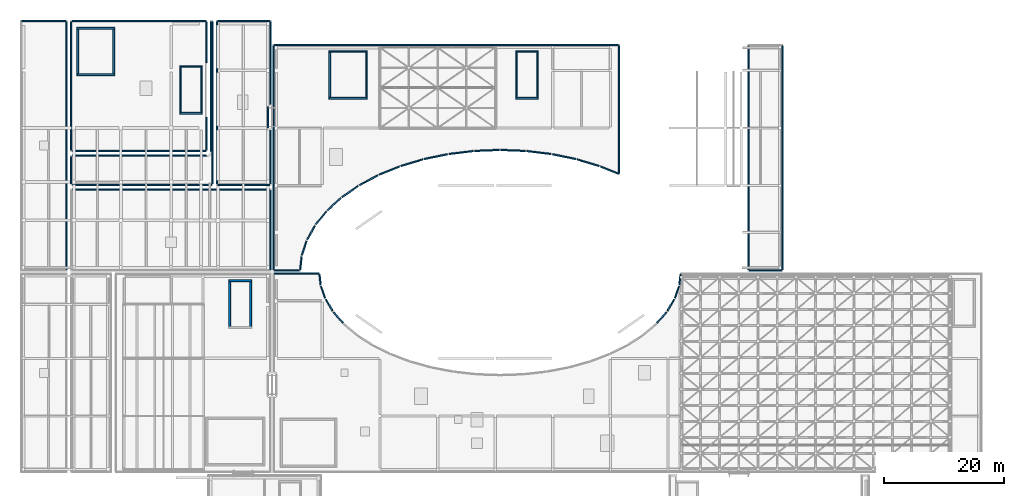
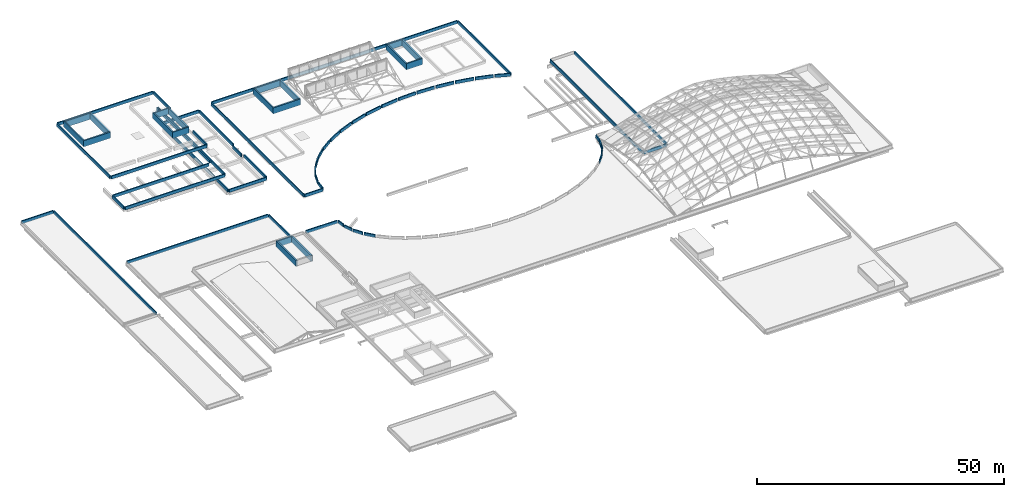
# One storey, part 38 of 40: 72 walls.
"""IFC4 building model written with IfcOpenShell, lengths in metres."""

from ifc_helpers import new_model, si_unit, direction, frame, frame_2d, origin, place, context, subcontext, project, spatial, rectangle, extrude, material, layer, layer_set, type_object, element, save


model = new_model("IFC4")

# Units and contexts
model_context = context("Model", 3, precision=1e-05, world=origin(), true_north=direction((0.0, 1.0)))
body_context = subcontext(model_context, "Body", "Model", "MODEL_VIEW")
ifc_project = project(units=[si_unit("LENGTHUNIT", "METRE"), si_unit("AREAUNIT", "SQUARE_METRE"), si_unit("VOLUMEUNIT", "CUBIC_METRE"), si_unit("PLANEANGLEUNIT", "RADIAN"), si_unit("MASSUNIT", "GRAM", prefix="KILO")], contexts=[model_context])

# Site, building, storey
site_placement = place(None, origin())
site = spatial("IfcSite", under=ifc_project, at=site_placement, CompositionType="ELEMENT")
building_placement = place(site_placement, origin())
building = spatial("IfcBuilding", under=site, at=building_placement, Name="Mzevani Central Library", CompositionType="ELEMENT")
storey_placement = place(building_placement, frame((0.0, 0.0, 26.699951171875)))
storey = spatial("IfcBuildingStorey", under=building, at=storey_placement, Name="RF", CompositionType="ELEMENT", Elevation=26.699951171875)

# Walls
ifc_material = material(Name="Precast concrete C40/50", Category="concrete")
ifc_layer_1 = layer(ifc_material, 0.320068359375, Name="Lift Overrun Shear Wall 320")
ifc_layer_set_1 = layer_set([ifc_layer_1], Name="Precast concrete C40/50")
wall_type_1 = type_object("IfcWallType", Name="Lift Overrun Shear Wall 320", PredefinedType="SHEAR", material=ifc_layer_set_1)
wall_1_placement = place(storey_placement, frame((19.800048828125, 108.85009765625, 0.0), z_axis=(0.0, 0.0, 1.0), x_axis=(-1.0, 0.0, 0.0)))
element("IfcWall", 1, at=wall_1_placement, inside=storey, type_object=wall_type_1, Name="RF Core C2A North-West Firefighting Core Overrun Headhouse Wall 1", PredefinedType="SHEAR", context=body_context, shape_type="SweptSolid", body=[
    extrude(rectangle(XDim=6.300048828125, YDim=0.320068359375, at=frame_2d((3.14990234375, 0.0))), origin(), (0.0, 0.0, 1.0), 1.5),
])
wall_2_placement = place(storey_placement, frame((13.64990234375, 108.699951171875, 0.0), z_axis=(0.0, 0.0, 1.0), x_axis=(0.0, 1.0, 0.0)))
element("IfcWall", 2, at=wall_2_placement, inside=storey, type_object=wall_type_1, Name="RF Core C2A North-West Firefighting Core Overrun Headhouse Wall 2", PredefinedType="SHEAR", context=body_context, shape_type="SweptSolid", body=[
    extrude(rectangle(XDim=8.10009765625, YDim=0.320068359375, at=frame_2d((4.050048828125, 0.0))), origin(), (0.0, 0.0, 1.0), 1.5),
])
wall_3_placement = place(storey_placement, frame((13.5, 116.64990234375, 0.0), z_axis=(0.0, 0.0, 1.0), x_axis=(1.0, 0.0, 0.0)))
element("IfcWall", 3, at=wall_3_placement, inside=storey, type_object=wall_type_1, Name="RF Core C2A North-West Firefighting Core Overrun Headhouse Wall 3", PredefinedType="SHEAR", context=body_context, shape_type="SweptSolid", body=[
    extrude(rectangle(XDim=6.300048828125, YDim=0.320068359375, at=frame_2d((3.14990234375, 0.0))), origin(), (0.0, 0.0, 1.0), 1.5),
])
wall_4_placement = place(storey_placement, frame((19.64990234375, 116.800048828125, 0.0), z_axis=(0.0, 0.0, 1.0), x_axis=(0.0, -1.0, 0.0)))
element("IfcWall", 4, at=wall_4_placement, inside=storey, type_object=wall_type_1, Name="RF Core C2A North-West Firefighting Core Overrun Headhouse Wall 4", PredefinedType="SHEAR", context=body_context, shape_type="SweptSolid", body=[
    extrude(rectangle(XDim=8.10009765625, YDim=0.320068359375, at=frame_2d((4.050048828125, 0.0))), origin(), (0.0, 0.0, 1.0), 1.5),
])
wall_5_placement = place(storey_placement, frame((34.39990234375, 102.449951171875, 0.0), z_axis=(0.0, 0.0, 1.0), x_axis=(-1.0, 0.0, 0.0)))
element("IfcWall", 5, at=wall_5_placement, inside=storey, type_object=wall_type_1, Name="RF Core C2B Stacks East Escape Stair Overrun Headhouse Wall 1", PredefinedType="SHEAR", context=body_context, shape_type="SweptSolid", body=[
    extrude(rectangle(XDim=3.7998046875, YDim=0.320068359375, at=frame_2d((1.89990234375, 0.0))), origin(), (0.0, 0.0, 1.0), 1.5),
])
wall_6_placement = place(storey_placement, frame((30.75, 102.300048828125, 0.0), z_axis=(0.0, 0.0, 1.0), x_axis=(0.0, 1.0, 0.0)))
element("IfcWall", 6, at=wall_6_placement, inside=storey, type_object=wall_type_1, Name="RF Core C2B Stacks East Escape Stair Overrun Headhouse Wall 2", PredefinedType="SHEAR", context=body_context, shape_type="SweptSolid", body=[
    extrude(rectangle(XDim=8.099853515625, YDim=0.320068359375, at=frame_2d((4.0498046875, 0.0))), origin(), (0.0, 0.0, 1.0), 1.5),
])
wall_7_placement = place(storey_placement, frame((30.60009765625, 110.25, 0.0), z_axis=(0.0, 0.0, 1.0), x_axis=(1.0, 0.0, 0.0)))
element("IfcWall", 7, at=wall_7_placement, inside=storey, type_object=wall_type_1, Name="RF Core C2B Stacks East Escape Stair Overrun Headhouse Wall 3", PredefinedType="SHEAR", context=body_context, shape_type="SweptSolid", body=[
    extrude(rectangle(XDim=3.7998046875, YDim=0.320068359375, at=frame_2d((1.89990234375, 0.0))), origin(), (0.0, 0.0, 1.0), 1.5),
])
wall_8_placement = place(storey_placement, frame((34.25, 110.39990234375, 0.0), z_axis=(0.0, 0.0, 1.0), x_axis=(0.0, -1.0, 0.0)))
element("IfcWall", 8, at=wall_8_placement, inside=storey, type_object=wall_type_1, Name="RF Core C2B Stacks East Escape Stair Overrun Headhouse Wall 4", PredefinedType="SHEAR", context=body_context, shape_type="SweptSolid", body=[
    extrude(rectangle(XDim=8.099853515625, YDim=0.320068359375, at=frame_2d((4.0498046875, 0.0))), origin(), (0.0, 0.0, 1.0), 1.5),
])
wall_9_placement = place(storey_placement, frame((61.89990234375, 104.949951171875, -4.199951171875), z_axis=(0.0, 0.0, 1.0), x_axis=(-1.0, 0.0, 0.0)))
element("IfcWall", 9, at=wall_9_placement, inside=storey, type_object=wall_type_1, Name="RF Core C3A North-East Firefighting Core Overrun Headhouse Wall 1", PredefinedType="SHEAR", context=body_context, shape_type="SweptSolid", body=[
    extrude(rectangle(XDim=6.39990234375, YDim=0.320068359375, at=frame_2d((3.199951171875, 0.0))), origin(), (0.0, 0.0, 1.0), 1.5),
])
wall_10_placement = place(storey_placement, frame((55.64990234375, 104.800048828125, -4.199951171875), z_axis=(0.0, 0.0, 1.0), x_axis=(0.0, 1.0, 0.0)))
element("IfcWall", 10, at=wall_10_placement, inside=storey, type_object=wall_type_1, Name="RF Core C3A North-East Firefighting Core Overrun Headhouse Wall 2", PredefinedType="SHEAR", context=body_context, shape_type="SweptSolid", body=[
    extrude(rectangle(XDim=8.099853515625, YDim=0.320068359375, at=frame_2d((4.0498046875, 0.0))), origin(), (0.0, 0.0, 1.0), 1.5),
])
wall_11_placement = place(storey_placement, frame((55.5, 112.75, -4.199951171875), z_axis=(0.0, 0.0, 1.0), x_axis=(1.0, 0.0, 0.0)))
element("IfcWall", 11, at=wall_11_placement, inside=storey, type_object=wall_type_1, Name="RF Core C3A North-East Firefighting Core Overrun Headhouse Wall 3", PredefinedType="SHEAR", context=body_context, shape_type="SweptSolid", body=[
    extrude(rectangle(XDim=6.39990234375, YDim=0.320068359375, at=frame_2d((3.199951171875, 0.0))), origin(), (0.0, 0.0, 1.0), 1.5),
])
wall_12_placement = place(storey_placement, frame((61.75, 112.89990234375, -4.199951171875), z_axis=(0.0, 0.0, 1.0), x_axis=(0.0, -1.0, 0.0)))
element("IfcWall", 12, at=wall_12_placement, inside=storey, type_object=wall_type_1, Name="RF Core C3A North-East Firefighting Core Overrun Headhouse Wall 4", PredefinedType="SHEAR", context=body_context, shape_type="SweptSolid", body=[
    extrude(rectangle(XDim=8.099853515625, YDim=0.320068359375, at=frame_2d((4.0498046875, 0.0))), origin(), (0.0, 0.0, 1.0), 1.5),
])
wall_13_placement = place(storey_placement, frame((90.39990234375, 104.949951171875, -4.199951171875), z_axis=(0.0, 0.0, 1.0), x_axis=(-1.0, 0.0, 0.0)))
element("IfcWall", 13, at=wall_13_placement, inside=storey, type_object=wall_type_1, Name="RF Core C3B Atrium East Escape Stair Overrun Headhouse Wall 1", PredefinedType="SHEAR", context=body_context, shape_type="SweptSolid", body=[
    extrude(rectangle(XDim=3.7998046875, YDim=0.320068359375, at=frame_2d((1.89990234375, 0.0))), origin(), (0.0, 0.0, 1.0), 1.5),
])
wall_14_placement = place(storey_placement, frame((86.75, 104.800048828125, -4.199951171875), z_axis=(0.0, 0.0, 1.0), x_axis=(0.0, 1.0, 0.0)))
element("IfcWall", 14, at=wall_14_placement, inside=storey, type_object=wall_type_1, Name="RF Core C3B Atrium East Escape Stair Overrun Headhouse Wall 2", PredefinedType="SHEAR", context=body_context, shape_type="SweptSolid", body=[
    extrude(rectangle(XDim=8.099853515625, YDim=0.320068359375, at=frame_2d((4.0498046875, 0.0))), origin(), (0.0, 0.0, 1.0), 1.5),
])
wall_15_placement = place(storey_placement, frame((86.60009765625, 112.75, -4.199951171875), z_axis=(0.0, 0.0, 1.0), x_axis=(1.0, 0.0, 0.0)))
element("IfcWall", 15, at=wall_15_placement, inside=storey, type_object=wall_type_1, Name="RF Core C3B Atrium East Escape Stair Overrun Headhouse Wall 3", PredefinedType="SHEAR", context=body_context, shape_type="SweptSolid", body=[
    extrude(rectangle(XDim=3.7998046875, YDim=0.320068359375, at=frame_2d((1.89990234375, 0.0))), origin(), (0.0, 0.0, 1.0), 1.5),
])
for number, where, z_axis, x_axis, name in (
    (16, (90.25, 112.89990234375, -4.199951171875), (0.0, 0.0, 1.0), (0.0, -1.0, 0.0), "RF Core C3B Atrium East Escape Stair Overrun Headhouse Wall 4"),
    (17, (38.949951171875, 66.60009765625, -12.89990234375), (0.0, 0.0, 1.0), (0.0, 1.0, 0.0), "RF Core C5B Lecture North Escape Stair Overrun Headhouse Wall 2"),
):
    element("IfcWall", number, at=place(storey_placement, frame(where, z_axis=z_axis, x_axis=x_axis)), inside=storey, type_object=wall_type_1, Name=name, PredefinedType="SHEAR", context=body_context, shape_type="SweptSolid", body=[
        extrude(rectangle(XDim=8.099853515625, YDim=0.320068359375, at=frame_2d((4.0498046875, 0.0))), origin(), (0.0, 0.0, 1.0), 1.5),
    ])
wall_16_placement = place(storey_placement, frame((38.800048828125, 74.550048828125, -12.89990234375), z_axis=(0.0, 0.0, 1.0), x_axis=(1.0, 0.0, 0.0)))
element("IfcWall", 18, at=wall_16_placement, inside=storey, type_object=wall_type_1, Name="RF Core C5B Lecture North Escape Stair Overrun Headhouse Wall 3", PredefinedType="SHEAR", context=body_context, shape_type="SweptSolid", body=[
    extrude(rectangle(XDim=3.800048828125, YDim=0.320068359375, at=frame_2d((1.89990234375, 0.0))), origin(), (0.0, 0.0, 1.0), 1.5),
])
wall_17_placement = place(storey_placement, frame((42.449951171875, 74.699951171875, -12.89990234375), z_axis=(0.0, 0.0, 1.0), x_axis=(0.0, -1.0, 0.0)))
element("IfcWall", 19, at=wall_17_placement, inside=storey, type_object=wall_type_1, Name="RF Core C5B Lecture North Escape Stair Overrun Headhouse Wall 4", PredefinedType="SHEAR", context=body_context, shape_type="SweptSolid", body=[
    extrude(rectangle(XDim=8.099853515625, YDim=0.320068359375, at=frame_2d((4.0498046875, 0.0))), origin(), (0.0, 0.0, 1.0), 1.5),
])
ifc_layer_2 = layer(ifc_material, 0.25, Name="Roof Parapet Wall 250")
ifc_layer_set_2 = layer_set([ifc_layer_2], Name="Precast concrete C40/50")
wall_type_2 = type_object("IfcWallType", Name="Roof Parapet Wall 250", PredefinedType="PARAPET", material=ifc_layer_set_2)
wall_18_placement = place(storey_placement, frame((54.982666015625, 71.409912109375, -12.89990234375), z_axis=(0.0, 0.0, 1.0), x_axis=(0.513620849091, -0.858017262868, 0.0)))
element("IfcWall", 20, at=wall_18_placement, inside=storey, type_object=wall_type_2, Name="RF V1 Roof Parapet Wall (1)", PredefinedType="PARAPET", context=body_context, shape_type="SweptSolid", body=[
    extrude(rectangle(XDim=2.175537109375, YDim=0.25, at=frame_2d((1.087890625, 0.0))), origin(), (0.0, 0.0, 1.0), 0.75),
])
for number, where, z_axis, x_axis, name in (
    (21, (56.27734375, 69.298828125, -12.89990234375), (0.0, 0.0, 1.0), (0.656148044556, -0.754632190955, 0.0), "RF V1 Roof Parapet Wall (2)"),
    (22, (110.1708984375, 67.51416015625, -12.89990234375), (0.0, 0.0, 1.0), (0.656148044556, 0.754632190955, 0.0), "RF V1 Roof Parapet Wall (19)"),
):
    element("IfcWall", number, at=place(storey_placement, frame(where, z_axis=z_axis, x_axis=x_axis)), inside=storey, type_object=wall_type_2, Name=name, PredefinedType="PARAPET", context=body_context, shape_type="SweptSolid", body=[
        extrude(rectangle(XDim=2.364990234375, YDim=0.25, at=frame_2d((1.1826171875, 0.0))), origin(), (0.0, 0.0, 1.0), 0.75),
    ])
wall_19_placement = place(storey_placement, frame((111.89990234375, 69.543212890625, -12.89990234375), z_axis=(0.0, 0.0, 1.0), x_axis=(0.513620849091, 0.858017262868, 0.0)))
element("IfcWall", 23, at=wall_19_placement, inside=storey, type_object=wall_type_2, Name="RF V1 Roof Parapet Wall (20)", PredefinedType="PARAPET", context=body_context, shape_type="SweptSolid", body=[
    extrude(rectangle(XDim=2.175537109375, YDim=0.25, at=frame_2d((1.087890625, 0.0))), origin(), (0.0, 0.0, 1.0), 0.75),
])
wall_20_placement = place(storey_placement, frame((113.146728515625, 71.68603515625, -12.89990234375), z_axis=(0.0, 0.0, 1.0), x_axis=(0.330997660646, 0.943631574634, 0.0)))
element("IfcWall", 24, at=wall_20_placement, inside=storey, type_object=wall_type_2, Name="RF V1 Roof Parapet Wall (21)", PredefinedType="PARAPET", context=body_context, shape_type="SweptSolid", body=[
    extrude(rectangle(XDim=2.03271484375, YDim=0.25, at=frame_2d((1.016357421875, 0.0))), origin(), (0.0, 0.0, 1.0), 0.75),
])
wall_21_placement = place(storey_placement, frame((113.888427734375, 73.903564453125, -12.89990234375), z_axis=(0.0, 0.0, 1.0), x_axis=(0.114853266236, 0.993382467751, 0.0)))
element("IfcWall", 25, at=wall_21_placement, inside=storey, type_object=wall_type_2, Name="RF V1 Roof Parapet Wall (22)", PredefinedType="PARAPET", context=body_context, shape_type="SweptSolid", body=[
    extrude(rectangle(XDim=1.73876953125, YDim=0.25, at=frame_2d((0.869384765625, 0.0))), origin(), (0.0, 0.0, 1.0), 0.75),
])
wall_22_placement = place(storey_placement, frame((46.3701171875, 75.77001953125, -12.89990234375), z_axis=(0.0, 0.0, 1.0), x_axis=(1.0, 0.0, 0.0)))
element("IfcWall", 26, at=wall_22_placement, inside=storey, type_object=wall_type_2, Name="RF V1 Roof Parapet Wall (29)", PredefinedType="PARAPET", context=body_context, shape_type="SweptSolid", body=[
    extrude(rectangle(XDim=7.3857421875, YDim=0.25, at=frame_2d((3.69287109375, 0.0))), origin(), (0.0, 0.0, 1.0), 0.75),
])
wall_23_placement = place(storey_placement, frame((53.911865234375, 75.630859375, -12.89990234375), z_axis=(0.0, 0.0, 1.0), x_axis=(0.114853266236, -0.993382467751, 0.0)))
element("IfcWall", 27, at=wall_23_placement, inside=storey, type_object=wall_type_2, Name="RF V1 Roof Parapet Wall (30)", PredefinedType="PARAPET", context=body_context, shape_type="SweptSolid", body=[
    extrude(rectangle(XDim=1.73876953125, YDim=0.25, at=frame_2d((0.869384765625, 0.0))), origin(), (0.0, 0.0, 1.0), 0.75),
])
wall_24_placement = place(storey_placement, frame((54.180419921875, 73.604248046875, -12.89990234375), z_axis=(0.0, 0.0, 1.0), x_axis=(0.330997660646, -0.943631574634, 0.0)))
element("IfcWall", 28, at=wall_24_placement, inside=storey, type_object=wall_type_2, Name="RF V1 Roof Parapet Wall (31)", PredefinedType="PARAPET", context=body_context, shape_type="SweptSolid", body=[
    extrude(rectangle(XDim=2.03271484375, YDim=0.25, at=frame_2d((1.016357421875, 0.0))), origin(), (0.0, 0.0, 1.0), 0.75),
])
wall_25_placement = place(storey_placement, frame((4.27001953125, 117.8701171875, -21.300048828125), z_axis=(0.0, 0.0, 1.0), x_axis=(1.0, 0.0, 0.0)))
element("IfcWall", 29, at=wall_25_placement, inside=storey, type_object=wall_type_2, Name="RF V2 Roof Parapet Wall (33)", PredefinedType="PARAPET", context=body_context, shape_type="SweptSolid", body=[
    extrude(rectangle(XDim=7.3798828125, YDim=0.25, at=frame_2d((3.68994140625, 0.0))), origin(), (0.0, 0.0, 1.0), 0.75),
])
wall_26_placement = place(storey_placement, frame((11.7900390625, 117.72998046875, -21.300048828125), z_axis=(0.0, 0.0, 1.0), x_axis=(0.0, -1.0, 0.0)))
element("IfcWall", 30, at=wall_26_placement, inside=storey, type_object=wall_type_2, Name="RF V2 Roof Parapet Wall (34)", PredefinedType="PARAPET", context=body_context, shape_type="SweptSolid", body=[
    extrude(rectangle(XDim=41.35986328125, YDim=0.25, at=frame_2d((20.679931640625, 0.0))), origin(), (0.0, 0.0, 1.0), 0.75),
])
wall_27_placement = place(storey_placement, frame((12.669921875, 89.7900390625, -17.099853515625), z_axis=(0.0, 0.0, 1.0), x_axis=(1.0, 0.0, 0.0)))
element("IfcWall", 31, at=wall_27_placement, inside=storey, type_object=wall_type_2, Name="RF V2 Roof Parapet Wall (36)", PredefinedType="PARAPET", context=body_context, shape_type="SweptSolid", body=[
    extrude(rectangle(XDim=32.9599609375, YDim=0.25, at=frame_2d((16.47998046875, 0.0))), origin(), (0.0, 0.0, 1.0), 0.75),
])
wall_28_placement = place(storey_placement, frame((45.77001953125, 89.64990234375, -17.099853515625), z_axis=(0.0, 0.0, 1.0), x_axis=(0.0, -1.0, 0.0)))
element("IfcWall", 32, at=wall_28_placement, inside=storey, type_object=wall_type_2, Name="RF V2 Roof Parapet Wall (37)", PredefinedType="PARAPET", context=body_context, shape_type="SweptSolid", body=[
    extrude(rectangle(XDim=13.27978515625, YDim=0.25, at=frame_2d((6.639892578125, 0.0))), origin(), (0.0, 0.0, 1.0), 0.75),
])
wall_29_placement = place(storey_placement, frame((45.35009765625, 103.5400390625, -8.39990234375), z_axis=(0.0, 0.0, 1.0), x_axis=(0.0, -1.0, 0.0)))
element("IfcWall", 33, at=wall_29_placement, inside=storey, type_object=wall_type_2, Name="RF V2 Roof Parapet Wall (40)", PredefinedType="PARAPET", context=body_context, shape_type="SweptSolid", body=[
    extrude(rectangle(XDim=3.47998046875, YDim=0.25, at=frame_2d((1.739990234375, 0.0))), origin(), (0.0, 0.0, 1.0), 0.75),
])
wall_30_placement = place(storey_placement, frame((45.77001953125, 99.64990234375, -8.39990234375), z_axis=(0.0, 0.0, 1.0), x_axis=(0.0, -1.0, 0.0)))
element("IfcWall", 34, at=wall_30_placement, inside=storey, type_object=wall_type_2, Name="RF V2 Roof Parapet Wall (41)", PredefinedType="PARAPET", context=body_context, shape_type="SweptSolid", body=[
    extrude(rectangle(XDim=8.97998046875, YDim=0.25, at=frame_2d((4.489990234375, 0.0))), origin(), (0.0, 0.0, 1.0), 0.75),
])
wall_31_placement = place(storey_placement, frame((45.6298828125, 90.530029296875, -8.39990234375), z_axis=(0.0, 0.0, 1.0), x_axis=(-1.0, 0.0, 0.0)))
element("IfcWall", 35, at=wall_31_placement, inside=storey, type_object=wall_type_2, Name="RF V2 Roof Parapet Wall (42)", PredefinedType="PARAPET", context=body_context, shape_type="SweptSolid", body=[
    extrude(rectangle(XDim=8.679931640625, YDim=0.25, at=frame_2d((4.33984375, 0.0))), origin(), (0.0, 0.0, 1.0), 0.75),
])
wall_32_placement = place(storey_placement, frame((36.81005859375, 90.669921875, -8.39990234375), z_axis=(0.0, 0.0, 1.0), x_axis=(0.0, 1.0, 0.0)))
element("IfcWall", 36, at=wall_32_placement, inside=storey, type_object=wall_type_2, Name="RF V2 Roof Parapet Wall (43)", PredefinedType="PARAPET", context=body_context, shape_type="SweptSolid", body=[
    extrude(rectangle(XDim=27.06005859375, YDim=0.25, at=frame_2d((13.530029296875, 0.0))), origin(), (0.0, 0.0, 1.0), 0.75),
])
wall_33_placement = place(storey_placement, frame((36.949951171875, 117.8701171875, -8.39990234375), z_axis=(0.0, 0.0, 1.0), x_axis=(1.0, 0.0, 0.0)))
element("IfcWall", 37, at=wall_33_placement, inside=storey, type_object=wall_type_2, Name="RF V2 Roof Parapet Wall (44)", PredefinedType="PARAPET", context=body_context, shape_type="SweptSolid", body=[
    extrude(rectangle(XDim=8.679931640625, YDim=0.25, at=frame_2d((4.33984375, 0.0))), origin(), (0.0, 0.0, 1.0), 0.75),
])
wall_34_placement = place(storey_placement, frame((45.77001953125, 117.72998046875, -8.39990234375), z_axis=(0.0, 0.0, 1.0), x_axis=(0.0, -1.0, 0.0)))
element("IfcWall", 38, at=wall_34_placement, inside=storey, type_object=wall_type_2, Name="RF V2 Roof Parapet Wall (45)", PredefinedType="PARAPET", context=body_context, shape_type="SweptSolid", body=[
    extrude(rectangle(XDim=13.780029296875, YDim=0.25, at=frame_2d((6.89013671875, 0.0))), origin(), (0.0, 0.0, 1.0), 0.75),
])
wall_35_placement = place(storey_placement, frame((36.070068359375, 117.72998046875, -4.199951171875), z_axis=(0.0, 0.0, 1.0), x_axis=(0.0, -1.0, 0.0)))
element("IfcWall", 39, at=wall_35_placement, inside=storey, type_object=wall_type_2, Name="RF V2 Roof Parapet Wall (46)", PredefinedType="PARAPET", context=body_context, shape_type="SweptSolid", body=[
    extrude(rectangle(XDim=27.06005859375, YDim=0.25, at=frame_2d((13.530029296875, 0.0))), origin(), (0.0, 0.0, 1.0), 0.75),
])
wall_36_placement = place(storey_placement, frame((35.929931640625, 90.530029296875, -4.199951171875), z_axis=(0.0, 0.0, 1.0), x_axis=(-1.0, 0.0, 0.0)))
element("IfcWall", 40, at=wall_36_placement, inside=storey, type_object=wall_type_2, Name="RF V2 Roof Parapet Wall (47)", PredefinedType="PARAPET", context=body_context, shape_type="SweptSolid", body=[
    extrude(rectangle(XDim=23.260009765625, YDim=0.25, at=frame_2d((11.6298828125, 0.0))), origin(), (0.0, 0.0, 1.0), 0.75),
])
wall_37_placement = place(storey_placement, frame((12.530029296875, 90.669921875, -4.199951171875), z_axis=(0.0, 0.0, 1.0), x_axis=(0.0, 1.0, 0.0)))
element("IfcWall", 41, at=wall_37_placement, inside=storey, type_object=wall_type_2, Name="RF V2 Roof Parapet Wall (48)", PredefinedType="PARAPET", context=body_context, shape_type="SweptSolid", body=[
    extrude(rectangle(XDim=4.580078125, YDim=0.25, at=frame_2d((2.2900390625, 0.0))), origin(), (0.0, 0.0, 1.0), 0.75),
])
wall_38_placement = place(storey_placement, frame((12.669921875, 95.389892578125, -4.199951171875), z_axis=(0.0, 0.0, 1.0), x_axis=(1.0, 0.0, 0.0)))
element("IfcWall", 42, at=wall_38_placement, inside=storey, type_object=wall_type_2, Name="RF V2 Roof Parapet Wall (49)", PredefinedType="PARAPET", context=body_context, shape_type="SweptSolid", body=[
    extrude(rectangle(XDim=22.39013671875, YDim=0.25, at=frame_2d((11.195068359375, 0.0))), origin(), (0.0, 0.0, 1.0), 0.75),
])
wall_39_placement = place(storey_placement, frame((35.81005859375, 96.139892578125, -4.199951171875), z_axis=(0.0, 0.0, 1.0), x_axis=(0.0, 1.0, 0.0)))
element("IfcWall", 43, at=wall_39_placement, inside=storey, type_object=wall_type_2, Name="RF V2 Roof Parapet Wall (50)", PredefinedType="PARAPET", context=body_context, shape_type="SweptSolid", body=[
    extrude(rectangle(XDim=21.590087890625, YDim=0.25, at=frame_2d((10.794921875, 0.0))), origin(), (0.0, 0.0, 1.0), 0.75),
])
wall_40_placement = place(storey_placement, frame((12.530029296875, 96.27001953125, 0.0), z_axis=(0.0, 0.0, 1.0), x_axis=(0.0, 1.0, 0.0)))
element("IfcWall", 44, at=wall_40_placement, inside=storey, type_object=wall_type_2, Name="RF V2 Roof Parapet Wall (51)", PredefinedType="PARAPET", context=body_context, shape_type="SweptSolid", body=[
    extrude(rectangle(XDim=21.4599609375, YDim=0.25, at=frame_2d((10.72998046875, 0.0))), origin(), (0.0, 0.0, 1.0), 0.75),
])
wall_41_placement = place(storey_placement, frame((12.669921875, 117.8701171875, 0.0), z_axis=(0.0, 0.0, 1.0), x_axis=(1.0, 0.0, 0.0)))
element("IfcWall", 45, at=wall_41_placement, inside=storey, type_object=wall_type_2, Name="RF V2 Roof Parapet Wall (52)", PredefinedType="PARAPET", context=body_context, shape_type="SweptSolid", body=[
    extrude(rectangle(XDim=22.260009765625, YDim=0.25, at=frame_2d((11.1298828125, 0.0))), origin(), (0.0, 0.0, 1.0), 0.75),
])
wall_42_placement = place(storey_placement, frame((35.070068359375, 117.72998046875, 0.0), z_axis=(0.0, 0.0, 1.0), x_axis=(0.0, -1.0, 0.0)))
element("IfcWall", 46, at=wall_42_placement, inside=storey, type_object=wall_type_2, Name="RF V2 Roof Parapet Wall (53)", PredefinedType="PARAPET", context=body_context, shape_type="SweptSolid", body=[
    extrude(rectangle(XDim=6.853759765625, YDim=0.25, at=frame_2d((3.4267578125, 0.0))), origin(), (0.0, 0.0, 1.0), 0.75),
])
wall_43_placement = place(storey_placement, frame((35.070068359375, 101.82373046875, 0.0), z_axis=(0.0, 0.0, 1.0), x_axis=(0.0, -1.0, 0.0)))
element("IfcWall", 47, at=wall_43_placement, inside=storey, type_object=wall_type_2, Name="RF V2 Roof Parapet Wall (54)", PredefinedType="PARAPET", context=body_context, shape_type="SweptSolid", body=[
    extrude(rectangle(XDim=5.5537109375, YDim=0.25, at=frame_2d((2.77685546875, 0.0))), origin(), (0.0, 0.0, 1.0), 0.75),
])
wall_44_placement = place(storey_placement, frame((34.929931640625, 96.1298828125, 0.0), z_axis=(0.0, 0.0, 1.0), x_axis=(-1.0, 0.0, 0.0)))
element("IfcWall", 48, at=wall_44_placement, inside=storey, type_object=wall_type_2, Name="RF V2 Roof Parapet Wall (55)", PredefinedType="PARAPET", context=body_context, shape_type="SweptSolid", body=[
    extrude(rectangle(XDim=22.260009765625, YDim=0.25, at=frame_2d((11.1298828125, 0.0))), origin(), (0.0, 0.0, 1.0), 0.75),
])
wall_45_placement = place(storey_placement, frame((130.929931640625, 76.22998046875, -21.300048828125), z_axis=(0.0, 0.0, 1.0), x_axis=(-1.0, 0.0, 0.0)))
element("IfcWall", 49, at=wall_45_placement, inside=storey, type_object=wall_type_2, Name="RF V3 Roof Parapet Wall (56)", PredefinedType="PARAPET", context=body_context, shape_type="SweptSolid", body=[
    extrude(rectangle(XDim=5.3798828125, YDim=0.25, at=frame_2d((2.68994140625, 0.0))), origin(), (0.0, 0.0, 1.0), 0.75),
])
for number, where, z_axis, x_axis, name in (
    (50, (125.409912109375, 76.3701171875, -21.300048828125), (0.0, 0.0, 1.0), (0.0, 1.0, 0.0), "RF V3 Roof Parapet Wall (57)"),
    (51, (131.070068359375, 113.72998046875, -21.300048828125), (0.0, 0.0, 1.0), (0.0, -1.0, 0.0), "RF V3 Roof Parapet Wall (59)"),
):
    element("IfcWall", number, at=place(storey_placement, frame(where, z_axis=z_axis, x_axis=x_axis)), inside=storey, type_object=wall_type_2, Name=name, PredefinedType="PARAPET", context=body_context, shape_type="SweptSolid", body=[
        extrude(rectangle(XDim=37.35986328125, YDim=0.25, at=frame_2d((18.679931640625, 0.0))), origin(), (0.0, 0.0, 1.0), 0.75),
    ])
wall_46_placement = place(storey_placement, frame((103.8701171875, 113.72998046875, -4.199951171875), z_axis=(0.0, 0.0, 1.0), x_axis=(0.0, -1.0, 0.0)))
element("IfcWall", 52, at=wall_46_placement, inside=storey, type_object=wall_type_2, Name="RF V3 Roof Parapet Wall (60)", PredefinedType="PARAPET", context=body_context, shape_type="SweptSolid", body=[
    extrude(rectangle(XDim=21.275390625, YDim=0.25, at=frame_2d((10.6376953125, 0.0))), origin(), (0.0, 0.0, 1.0), 0.75),
])
wall_47_placement = place(storey_placement, frame((103.740234375, 92.3671875, -4.199951171875), z_axis=(0.0, 0.0, 1.0), x_axis=(-0.926275071454, 0.37684810203, 0.0)))
element("IfcWall", 53, at=wall_47_placement, inside=storey, type_object=wall_type_2, Name="RF V3 Roof Parapet Wall (61)", PredefinedType="PARAPET", context=body_context, shape_type="SweptSolid", body=[
    extrude(rectangle(XDim=3.197021484375, YDim=0.25, at=frame_2d((1.5986328125, 0.0))), origin(), (0.0, 0.0, 1.0), 0.75),
])
wall_48_placement = place(storey_placement, frame((100.50341796875, 93.669189453125, -4.199951171875), z_axis=(0.0, 0.0, 1.0), x_axis=(-0.957764154679, 0.287554906083, 0.0)))
element("IfcWall", 54, at=wall_48_placement, inside=storey, type_object=wall_type_2, Name="RF V3 Roof Parapet Wall (62)", PredefinedType="PARAPET", context=body_context, shape_type="SweptSolid", body=[
    extrude(rectangle(XDim=3.78662109375, YDim=0.25, at=frame_2d((1.893310546875, 0.0))), origin(), (0.0, 0.0, 1.0), 0.75),
])
wall_49_placement = place(storey_placement, frame((96.59423828125, 94.829345703125, -4.199951171875), z_axis=(0.0, 0.0, 1.0), x_axis=(-0.979305144157, 0.202389314507, 0.0)))
element("IfcWall", 55, at=wall_49_placement, inside=storey, type_object=wall_type_2, Name="RF V3 Roof Parapet Wall (63)", PredefinedType="PARAPET", context=body_context, shape_type="SweptSolid", body=[
    extrude(rectangle(XDim=3.919189453125, YDim=0.25, at=frame_2d((1.95947265625, 0.0))), origin(), (0.0, 0.0, 1.0), 0.75),
])
wall_50_placement = place(storey_placement, frame((92.469482421875, 95.66943359375, -4.199951171875), z_axis=(0.0, 0.0, 1.0), x_axis=(-0.992746337219, 0.120227741968, 0.0)))
element("IfcWall", 56, at=wall_50_placement, inside=storey, type_object=wall_type_2, Name="RF V3 Roof Parapet Wall (64)", PredefinedType="PARAPET", context=body_context, shape_type="SweptSolid", body=[
    extrude(rectangle(XDim=4.010498046875, YDim=0.25, at=frame_2d((2.00537109375, 0.0))), origin(), (0.0, 0.0, 1.0), 0.75),
])
for number, where, z_axis, x_axis, name in (
    (57, (88.19873046875, 96.1748046875, -4.199951171875), (0.0, 0.0, 1.0), (-0.999203744113, 0.039898342709, 0.0), "RF V3 Roof Parapet Wall (65)"),
    (58, (83.85498046875, 96.336669921875, -4.199951171875), (0.0, 0.0, 1.0), (-0.999203744113, -0.039898342709, 0.0), "RF V3 Roof Parapet Wall (66)"),
):
    element("IfcWall", number, at=place(storey_placement, frame(where, z_axis=z_axis, x_axis=x_axis)), inside=storey, type_object=wall_type_2, Name=name, PredefinedType="PARAPET", context=body_context, shape_type="SweptSolid", body=[
        extrude(rectangle(XDim=4.056884765625, YDim=0.25, at=frame_2d((2.0283203125, 0.0))), origin(), (0.0, 0.0, 1.0), 0.75),
    ])
wall_51_placement = place(storey_placement, frame((79.511962890625, 96.151611328125, -4.199951171875), z_axis=(0.0, 0.0, 1.0), x_axis=(-0.992746337219, -0.120227741968, 0.0)))
element("IfcWall", 59, at=wall_51_placement, inside=storey, type_object=wall_type_2, Name="RF V3 Roof Parapet Wall (67)", PredefinedType="PARAPET", context=body_context, shape_type="SweptSolid", body=[
    extrude(rectangle(XDim=4.010498046875, YDim=0.25, at=frame_2d((2.00537109375, 0.0))), origin(), (0.0, 0.0, 1.0), 0.75),
])
wall_52_placement = place(storey_placement, frame((75.243896484375, 95.62255859375, -4.199951171875), z_axis=(0.0, 0.0, 1.0), x_axis=(-0.979305144157, -0.202389314507, 0.0)))
element("IfcWall", 60, at=wall_52_placement, inside=storey, type_object=wall_type_2, Name="RF V3 Roof Parapet Wall (68)", PredefinedType="PARAPET", context=body_context, shape_type="SweptSolid", body=[
    extrude(rectangle(XDim=3.919189453125, YDim=0.25, at=frame_2d((1.95947265625, 0.0))), origin(), (0.0, 0.0, 1.0), 0.75),
])
wall_53_placement = place(storey_placement, frame((71.123291015625, 94.758056640625, -4.199951171875), z_axis=(0.0, 0.0, 1.0), x_axis=(-0.957764154679, -0.287554906083, 0.0)))
element("IfcWall", 61, at=wall_53_placement, inside=storey, type_object=wall_type_2, Name="RF V3 Roof Parapet Wall (69)", PredefinedType="PARAPET", context=body_context, shape_type="SweptSolid", body=[
    extrude(rectangle(XDim=3.78662109375, YDim=0.25, at=frame_2d((1.893310546875, 0.0))), origin(), (0.0, 0.0, 1.0), 0.75),
])
wall_54_placement = place(storey_placement, frame((67.22119140625, 93.572021484375, -4.199951171875), z_axis=(0.0, 0.0, 1.0), x_axis=(-0.926292207409, -0.376805979906, 0.0)))
element("IfcWall", 62, at=wall_54_placement, inside=storey, type_object=wall_type_2, Name="RF V3 Roof Parapet Wall (70)", PredefinedType="PARAPET", context=body_context, shape_type="SweptSolid", body=[
    extrude(rectangle(XDim=3.617919921875, YDim=0.25, at=frame_2d((1.80908203125, 0.0))), origin(), (0.0, 0.0, 1.0), 0.75),
])
wall_55_placement = place(storey_placement, frame((63.6044921875, 92.084228515625, -4.199951171875), z_axis=(0.0, 0.0, 1.0), x_axis=(-0.882147420453, -0.47097338416, 0.0)))
element("IfcWall", 63, at=wall_55_placement, inside=storey, type_object=wall_type_2, Name="RF V3 Roof Parapet Wall (71)", PredefinedType="PARAPET", context=body_context, shape_type="SweptSolid", body=[
    extrude(rectangle(XDim=3.42138671875, YDim=0.25, at=frame_2d((1.710693359375, 0.0))), origin(), (0.0, 0.0, 1.0), 0.75),
])
wall_56_placement = place(storey_placement, frame((60.3349609375, 90.3193359375, -4.199951171875), z_axis=(0.0, 0.0, 1.0), x_axis=(-0.82145123063, -0.570278770161, 0.0)))
element("IfcWall", 64, at=wall_56_placement, inside=storey, type_object=wall_type_2, Name="RF V3 Roof Parapet Wall (72)", PredefinedType="PARAPET", context=body_context, shape_type="SweptSolid", body=[
    extrude(rectangle(XDim=3.20556640625, YDim=0.25, at=frame_2d((1.602783203125, 0.0))), origin(), (0.0, 0.0, 1.0), 0.75),
])
wall_57_placement = place(storey_placement, frame((57.4697265625, 88.306396484375, -4.199951171875), z_axis=(0.0, 0.0, 1.0), x_axis=(-0.739191811645, -0.673494963305, 0.0)))
element("IfcWall", 65, at=wall_57_placement, inside=storey, type_object=wall_type_2, Name="RF V3 Roof Parapet Wall (73)", PredefinedType="PARAPET", context=body_context, shape_type="SweptSolid", body=[
    extrude(rectangle(XDim=2.984130859375, YDim=0.25, at=frame_2d((1.4921875, 0.0))), origin(), (0.0, 0.0, 1.0), 0.75),
])
wall_58_placement = place(storey_placement, frame((55.058837890625, 86.0791015625, -4.199951171875), z_axis=(0.0, 0.0, 1.0), x_axis=(-0.629474398044, -0.777021223782, 0.0)))
element("IfcWall", 66, at=wall_58_placement, inside=storey, type_object=wall_type_2, Name="RF V3 Roof Parapet Wall (74)", PredefinedType="PARAPET", context=body_context, shape_type="SweptSolid", body=[
    extrude(rectangle(XDim=2.771484375, YDim=0.25, at=frame_2d((1.3857421875, 0.0))), origin(), (0.0, 0.0, 1.0), 0.75),
])
wall_59_placement = place(storey_placement, frame((53.1455078125, 83.67578125, -4.199951171875), z_axis=(0.0, 0.0, 1.0), x_axis=(-0.487012924737, -0.873394762487, 0.0)))
element("IfcWall", 67, at=wall_59_placement, inside=storey, type_object=wall_type_2, Name="RF V3 Roof Parapet Wall (75)", PredefinedType="PARAPET", context=body_context, shape_type="SweptSolid", body=[
    extrude(rectangle(XDim=2.586181640625, YDim=0.25, at=frame_2d((1.29296875, 0.0))), origin(), (0.0, 0.0, 1.0), 0.75),
])
wall_60_placement = place(storey_placement, frame((51.76416015625, 81.138671875, -4.199951171875), z_axis=(0.0, 0.0, 1.0), x_axis=(-0.310567309846, -0.950551390539, 0.0)))
element("IfcWall", 68, at=wall_60_placement, inside=storey, type_object=wall_type_2, Name="RF V3 Roof Parapet Wall (76)", PredefinedType="PARAPET", context=body_context, shape_type="SweptSolid", body=[
    extrude(rectangle(XDim=2.447998046875, YDim=0.25, at=frame_2d((1.22412109375, 0.0))), origin(), (0.0, 0.0, 1.0), 0.75),
])
wall_61_placement = place(storey_placement, frame((50.939697265625, 78.512939453125, -4.199951171875), z_axis=(0.0, 0.0, 1.0), x_axis=(-0.107000875235, -0.994258926386, 0.0)))
element("IfcWall", 69, at=wall_61_placement, inside=storey, type_object=wall_type_2, Name="RF V3 Roof Parapet Wall (77)", PredefinedType="PARAPET", context=body_context, shape_type="SweptSolid", body=[
    extrude(rectangle(XDim=2.15625, YDim=0.25, at=frame_2d((1.078125, 0.0))), origin(), (0.0, 0.0, 1.0), 0.75),
])
wall_62_placement = place(storey_placement, frame((50.553955078125, 76.22998046875, -4.199951171875), z_axis=(0.0, 0.0, 1.0), x_axis=(-1.0, 0.0, 0.0)))
element("IfcWall", 70, at=wall_62_placement, inside=storey, type_object=wall_type_2, Name="RF V3 Roof Parapet Wall (78)", PredefinedType="PARAPET", context=body_context, shape_type="SweptSolid", body=[
    extrude(rectangle(XDim=4.183837890625, YDim=0.25, at=frame_2d((2.091796875, 0.0))), origin(), (0.0, 0.0, 1.0), 0.75),
])
wall_63_placement = place(storey_placement, frame((46.22998046875, 76.3701171875, -4.199951171875), z_axis=(0.0, 0.0, 1.0), x_axis=(0.0, 1.0, 0.0)))
element("IfcWall", 71, at=wall_63_placement, inside=storey, type_object=wall_type_2, Name="RF V3 Roof Parapet Wall (79)", PredefinedType="PARAPET", context=body_context, shape_type="SweptSolid", body=[
    extrude(rectangle(XDim=37.35986328125, YDim=0.25, at=frame_2d((18.679931640625, 0.0))), origin(), (0.0, 0.0, 1.0), 0.75),
])
wall_64_placement = place(storey_placement, frame((46.3701171875, 113.8701171875, -4.199951171875), z_axis=(0.0, 0.0, 1.0), x_axis=(1.0, 0.0, 0.0)))
element("IfcWall", 72, at=wall_64_placement, inside=storey, type_object=wall_type_2, Name="RF V3 Roof Parapet Wall (80)", PredefinedType="PARAPET", context=body_context, shape_type="SweptSolid", body=[
    extrude(rectangle(XDim=57.35986328125, YDim=0.25, at=frame_2d((28.679931640625, 0.0))), origin(), (0.0, 0.0, 1.0), 0.75),
])

save(model, "model.ifc")
